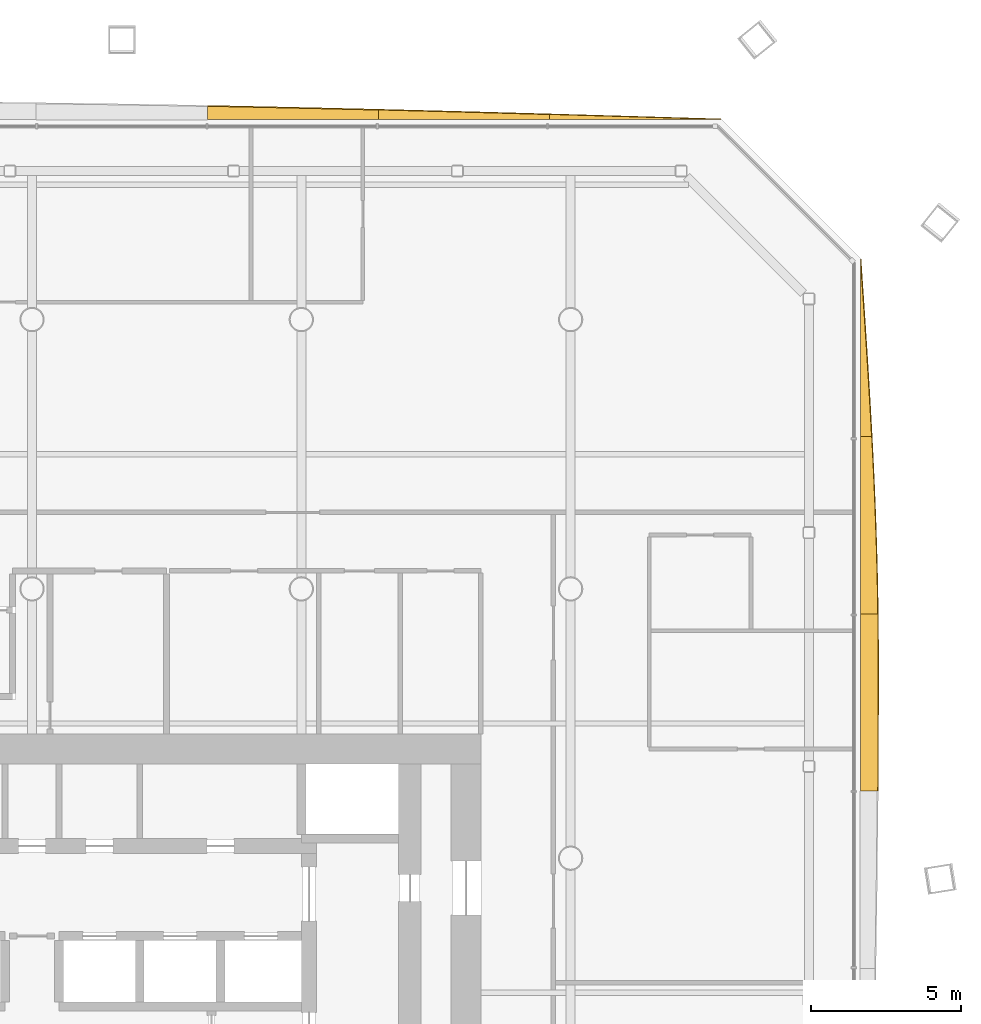
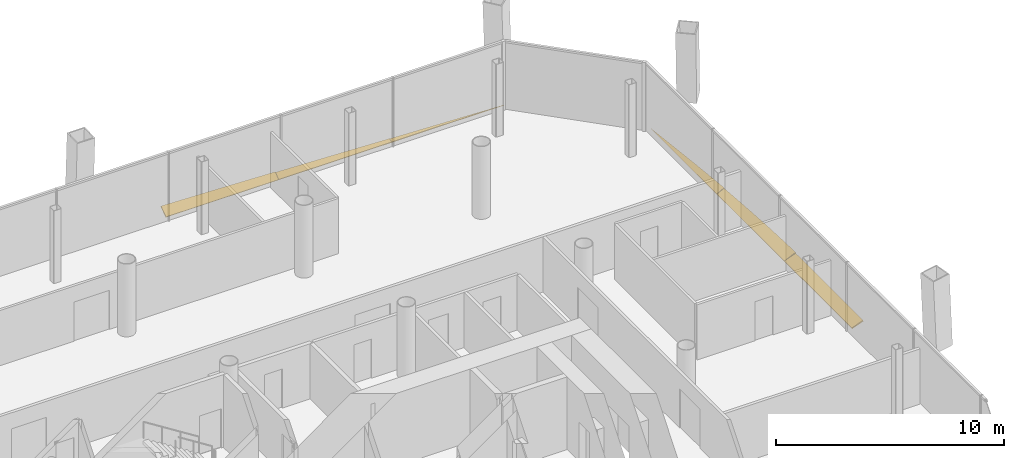
# One storey, part 19 of 19: 6 shading devices.
"""IFC4 building model written with IfcOpenShell, lengths in metres."""

from ifc_helpers import new_model, si_unit, direction, frame, origin, place, context, subcontext, project, spatial, polyline, outline, extrude, material, layer, layer_set, type_object, element, save


model = new_model("IFC4")

# Units and contexts
model_context = context("Model", 3, precision=1e-05, world=origin(), true_north=direction((0.0, 1.0)))
body_context = subcontext(model_context, "Body", "Model", "MODEL_VIEW")
ifc_project = project(units=[si_unit("LENGTHUNIT", "METRE"), si_unit("AREAUNIT", "SQUARE_METRE"), si_unit("VOLUMEUNIT", "CUBIC_METRE"), si_unit("PLANEANGLEUNIT", "RADIAN"), si_unit("MASSUNIT", "GRAM", prefix="KILO")], contexts=[model_context])

# Site, building, storey
site_placement = place(None, origin())
site = spatial("IfcSite", under=ifc_project, at=site_placement, CompositionType="ELEMENT")
building_placement = place(site_placement, origin())
building = spatial("IfcBuilding", under=site, at=building_placement, Name="Tskaro Facet Tower", CompositionType="ELEMENT")
storey_placement = place(building_placement, frame((0.0, 0.0, 89.39990234375)))
storey = spatial("IfcBuildingStorey", under=building, at=storey_placement, Name="L21", CompositionType="ELEMENT", Elevation=89.39990234375)

# Shading devices
ifc_material = material(Name="Bronze anodised aluminium 6063-T6", Category="aluminium")
ifc_layer = layer(ifc_material, 0.06005859375, Name="Bronze anodised aluminium 6063-T6")
ifc_layer_set = layer_set([ifc_layer], Name="Bronze anodised aluminium 6063-T6")
shading_device_type = type_object("IfcShadingDeviceType", Name="Bronze sun blade (FN1)", PredefinedType="USERDEFINED", material=ifc_layer_set)
shading_device_1_placement = place(storey_placement, frame((27.6923828125, 2.24462890625, 0.056396484375), z_axis=(-0.342085287955, 7.295722e-06, 0.939668907494), x_axis=(2.495759e-06, 0.999999999973, -6.855563e-06)))
element("IfcShadingDevice", 1, at=shading_device_1_placement, inside=storey, type_object=shading_device_type, Name="Fin blade east 5", ObjectType="FIN", PredefinedType="USERDEFINED", context=body_context, shape_type="SweptSolid", body=[
    extrude(outline(polyline([(0.0, 0.0), (5.924072265467339, 2.508942195449902e-21), (5.924072265117519, -0.6129224158201163), (5.1835937505994085, -0.6211822652361862), (4.443115234546619, -0.6245821974230933), (4.253417969535984, -0.6248116087774681), (3.7026367183320095, -0.6243527860687185), (2.9619140624025846, -0.6230386954648306), (2.2214355463346096, -0.6207234425274366), (1.4809570305674975, -0.6170940989861546), (0.740478516319879, -0.6126094875497345), (-9.74320132896176e-10, -0.6069778193414402), (0.0, 0.0)])), origin(), (0.0, 0.0, -1.0), 0.06005859375),
])
shading_device_2_placement = place(storey_placement, frame((27.687744140625, 8.168701171875, 0.054443359375), z_axis=(-0.422802659117, -6.68621e-06, 0.906221778263), x_axis=(-2.826947e-06, 0.999999999978, 6.059189e-06)))
element("IfcShadingDevice", 2, at=shading_device_2_placement, inside=storey, type_object=shading_device_type, Name="Fin blade east 6", ObjectType="FIN", PredefinedType="USERDEFINED", context=body_context, shape_type="SweptSolid", body=[
    extrude(outline(polyline([(0.0, 0.0), (5.9240722654925815, 2.508942195449902e-21), (5.924072264856356, -0.4113369503752892), (5.183593749470496, -0.45284084327391916), (4.443115234181116, -0.4908492041724402), (3.702636718988215, -0.5253620330708523), (2.962158203102672, -0.5560548611123657), (2.2216796879048344, -0.5824851971943031), (1.4809570312904103, -0.6045498180112137), (0.7404785159886847, -0.622351946868548), (-8.937529579714546e-10, -0.635463891604066), (0.0, 0.0)])), origin(), (0.0, 0.0, -1.0), 0.06005859375),
])
shading_device_3_placement = place(storey_placement, frame((27.68310546875, 14.0927734375, 0.052001953125), z_axis=(-0.500534052514, -3.2226201e-05, 0.865716848188), x_axis=(-1.6130311e-05, 0.999999999481, 2.7898765e-05)))
element("IfcShadingDevice", 3, at=shading_device_3_placement, inside=storey, type_object=shading_device_type, Name="Fin blade east 7", ObjectType="FIN", PredefinedType="USERDEFINED", context=body_context, shape_type="SweptSolid", body=[
    extrude(outline(polyline([(0.0, 0.0), (5.924316403173716, -1.0036182372105885e-20), (5.183593753413756, -0.05820355399220233), (4.443115234594289, -0.11595134993894955), (3.702636720777793, -0.172942875231721), (2.962158202279888, -0.22872237182506155), (2.221679684103545, -0.2825335690649955), (1.481201166248763, -0.3343764669515227), (0.7407226526536068, -0.3840397088321441), (-5.926270018201914e-09, -0.43052262265992786), (0.0, 0.0)])), origin(), (0.0, 0.0, -1.0), 0.06005859375),
])
shading_device_4_placement = place(storey_placement, frame((23.01708984375, 24.687744140625, 0.054443359375), z_axis=(-8.021891e-06, -0.423469898271, 0.905910175014), x_axis=(-0.999999999968, 3.397029e-06, -7.267113e-06)))
element("IfcShadingDevice", 4, at=shading_device_4_placement, inside=storey, type_object=shading_device_type, Name="Fin blade north 1", ObjectType="FIN", PredefinedType="USERDEFINED", context=body_context, shape_type="SweptSolid", body=[
    extrude(outline(polyline([(0.0, 0.0), (5.719238281065981, 2.4221916287084033e-21), (5.71923828142952, -0.1845846770887878), (5.00439453098058, -0.16197437905735973), (4.289550782305836, -0.13926069482029568), (3.57446289040255, -0.11642922731253871), (2.8596191400691002, -0.0932732041228169), (2.144775391509849, -0.07001379472745914), (1.4299316403470463, -0.04663660206140845), (0.7150878891842442, -0.023259409395357762), (0.0, 0.0)])), origin(), (0.0, 0.0, -1.0), 0.06005859375),
])
shading_device_5_placement = place(storey_placement, frame((17.2978515625, 24.68310546875, 0.052001953125), z_axis=(-1.1989748e-05, -0.500400306407, 0.8657941633), x_axis=(-0.999999999928, 5.999673e-06, -1.0380654e-05)))
element("IfcShadingDevice", 5, at=shading_device_5_placement, inside=storey, type_object=shading_device_type, Name="Fin blade north 2", ObjectType="FIN", PredefinedType="USERDEFINED", context=body_context, shape_type="SweptSolid", body=[
    extrude(outline(polyline([(0.0, 0.0), (5.719238280838918, 4.8443832574168066e-21), (5.719238281975347, -0.37047298907420423), (5.004150389451457, -0.34970014216028905), (4.289306641156463, -0.3284715836310792), (3.5744628899319415, -0.3068202740455401), (2.859619139776995, -0.2848354208882712), (2.144775390691624, -0.2625170241592727), (1.4296875005860818, -0.23965370833037986), (0.7148437496407578, -0.21657901697332238), (-2.3499079379003634e-10, -0.19317078204453525), (0.0, 0.0)])), origin(), (0.0, 0.0, -1.0), 0.06005859375),
])
shading_device_6_placement = place(storey_placement, frame((11.57861328125, 24.678466796875, 0.04931640625), z_axis=(1.6523993e-05, -0.573312758391, 0.819336610187), x_axis=(-0.999999999863, -9.473416e-06, 1.3538713e-05)))
element("IfcShadingDevice", 6, at=shading_device_6_placement, inside=storey, type_object=shading_device_type, Name="Fin blade north 3", ObjectType="FIN", PredefinedType="USERDEFINED", context=body_context, shape_type="SweptSolid", body=[
    extrude(outline(polyline([(0.0, 0.0), (5.718994139844236, 0.0), (5.718994142154241, -0.5465812805573784), (5.004150391870049, -0.5295806220793957), (4.289306641913695, -0.5116999256746952), (3.574462889972333, -0.49313922469540084), (2.8593749987263455, -0.47403848807668575), (2.144531249425667, -0.4543977158185499), (1.42968749813998, -0.4340769389858201), (0.7148437481746347, -0.41321612651366957), (-4.703686720438963e-10, -0.3918152784020983), (0.0, 0.0)])), origin(), (0.0, 0.0, -1.0), 0.06005859375),
])

save(model, "model.ifc")
